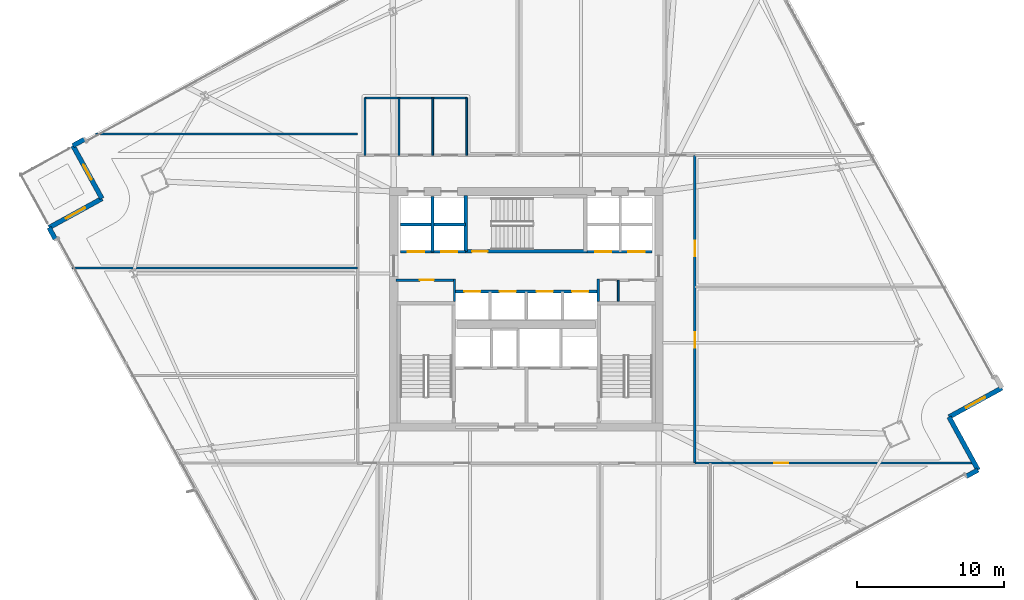
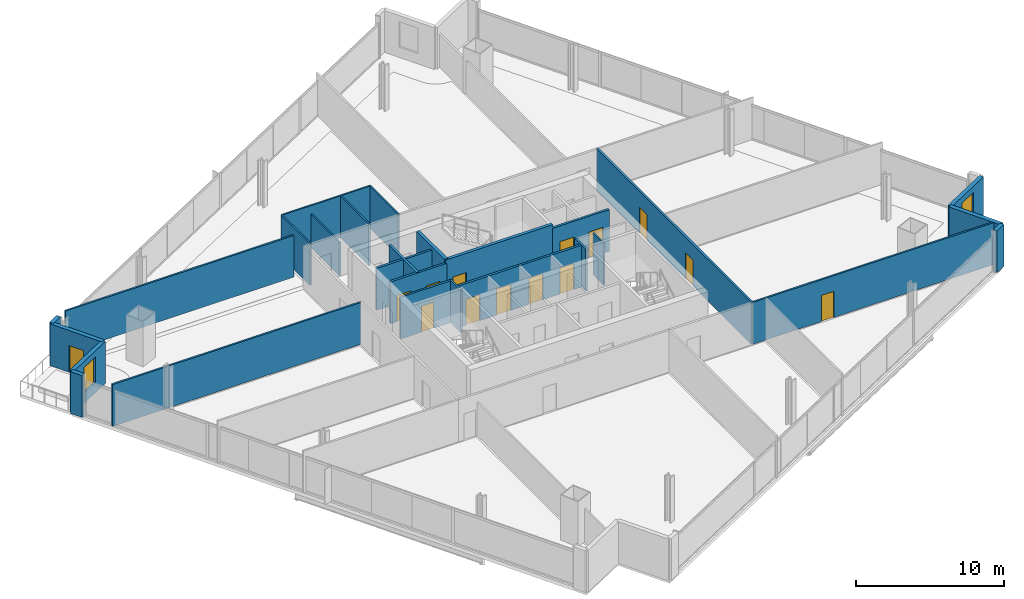
# One storey, part 25 of 33: 27 walls, 14 doors, 2 windows, 16 openings.
"""IFC4 building model written with IfcOpenShell, lengths in metres."""

from ifc_helpers import new_model, si_unit, direction, frame, frame_2d, origin, place, context, subcontext, project, spatial, rectangle, extrude, material, layer, layer_set, type_object, element, fill, save


model = new_model("IFC4")

# Units and contexts
model_context = context("Model", 3, precision=1e-05, world=origin(), true_north=direction((0.0, 1.0)))
body_context = subcontext(model_context, "Body", "Model", "MODEL_VIEW")
ifc_project = project(units=[si_unit("LENGTHUNIT", "METRE"), si_unit("AREAUNIT", "SQUARE_METRE"), si_unit("VOLUMEUNIT", "CUBIC_METRE"), si_unit("PLANEANGLEUNIT", "RADIAN"), si_unit("MASSUNIT", "GRAM", prefix="KILO")], contexts=[model_context])

# Site, building, storey
site_placement = place(None, origin())
site = spatial("IfcSite", under=ifc_project, at=site_placement, CompositionType="ELEMENT")
building_placement = place(site_placement, origin())
building = spatial("IfcBuilding", under=site, at=building_placement, Name="Haldenkirk Collegiate Tower", CompositionType="ELEMENT")
storey_placement = place(building_placement, frame((0.0, 0.0, 124.199951171875)))
storey = spatial("IfcBuildingStorey", under=building, at=storey_placement, Name="L30", CompositionType="ELEMENT", Elevation=124.199951171875)

# Walls
ifc_material_1 = material(Name="Precast concrete f'c 40 MPa", Category="concrete")
ifc_layer_1 = layer(ifc_material_1, 0.320068359375)
ifc_layer_set_1 = layer_set([ifc_layer_1], Name="Precast concrete f'c 40 MPa")
wall_type_1 = type_object("IfcWallType", Name="WL-EXT-TWR-320", PredefinedType="STANDARD", material=ifc_layer_set_1)
wall_1_placement = place(storey_placement, frame((66.68115234375, 15.0869140625, 0.0), z_axis=(0.0, 0.0, 1.0), x_axis=(-0.876742303373, -0.480960428181, 0.0)))
element("IfcWall", 1, at=wall_1_placement, inside=storey, type_object=wall_type_1, Name="L30 precast corner pier SL", PredefinedType="STANDARD", context=body_context, shape_type="SweptSolid", body=[
    extrude(rectangle(XDim=0.89990234375, YDim=0.320068359375, at=frame_2d((0.449951171875, 0.0))), origin(), (0.0, 0.0, 1.0), 3.449951171875),
])
wall_2_placement = place(storey_placement, frame((64.708984375, 18.681640625, 0.0), z_axis=(0.0, 0.0, 1.0), x_axis=(0.480995038517, -0.876723316059, 0.0)))
element("IfcWall", 2, at=wall_2_placement, inside=storey, type_object=wall_type_1, Name="L30 bronze precast notch wall 02", PredefinedType="STANDARD", context=body_context, shape_type="SweptSolid", body=[
    extrude(rectangle(XDim=4.10009765625, YDim=0.320068359375, at=frame_2d((2.050048828125, 0.0))), origin(), (0.0, 0.0, 1.0), 3.449951171875),
])

# Wall, opening, window
wall_3_placement = place(storey_placement, frame((68.3037109375, 20.65380859375, 0.0), z_axis=(0.0, 0.0, 1.0), x_axis=(-0.876723316059, -0.480995038517, 0.0)))
wall_3 = element("IfcWall", 3, at=wall_3_placement, inside=storey, type_object=wall_type_1, Name="L30 bronze precast notch wall 03", PredefinedType="STANDARD", context=body_context, shape_type="SweptSolid", body=[
    extrude(rectangle(XDim=4.10009765625, YDim=0.320068359375, at=frame_2d((2.050048828125, 0.0))), origin(), (0.0, 0.0, 1.0), 3.449951171875),
])
opening_1_placement = place(wall_3_placement, frame((1.300048828125, 0.0, 0.85009765625)))
opening_1 = element("IfcOpeningElement", 4, at=opening_1_placement, cuts=wall_3, Name="Opening W-04", PredefinedType="OPENING", context=body_context, shape_type="SweptSolid", body=[
    extrude(rectangle(XDim=1.5, YDim=2.10009765625, at=frame_2d((0.75, 1.050048828125))), frame((0.0, 0.169921875, 0.0), z_axis=(0.0, -1.0, 0.0), x_axis=(1.0, 0.0, 0.0)), (0.0, 0.0, 1.0), 0.340087890625),
])
ifc_material_2 = material(Name="Low-E argon triple insulating glass", Category="glass")
ifc_layer_2 = layer(ifc_material_2, 0.090087890625)
ifc_layer_set_2 = layer_set([ifc_layer_2], Name="Low-E argon triple insulating glass")
window_type = type_object("IfcWindowType", Name="WN-Z2-1500X2100", PartitioningType="SINGLE_PANEL", PredefinedType="WINDOW", material=ifc_layer_set_2)
window_1_placement = place(opening_1_placement, origin())
window_1 = element("IfcWindow", 5, at=window_1_placement, inside=storey, type_object=window_type, Name="L30 precast-frame academic window 2", OverallHeight=2.10009765625, OverallWidth=1.5, PartitioningType="SINGLE_PANEL", PredefinedType="WINDOW", context=body_context, shape_type="SweptSolid", body=[
    extrude(rectangle(XDim=1.5, YDim=2.10009765625, at=frame_2d((0.75, 1.050048828125))), frame((0.0, 0.030029296875, 0.0), z_axis=(0.0, -1.0, 0.0), x_axis=(1.0, 0.0, 0.0)), (0.0, 0.0, 1.0), 0.06005859375),
])
fill(opening_1, window_1)

# Wall
wall_4_placement = place(storey_placement, frame((5.210693359375, 37.110107421875, 0.0), z_axis=(0.0, 0.0, 1.0), x_axis=(0.876627905127, 0.481168905846, 0.0)))
element("IfcWall", 6, at=wall_4_placement, inside=storey, type_object=wall_type_1, Name="L30 precast corner pier NL", PredefinedType="STANDARD", context=body_context, shape_type="SweptSolid", body=[
    extrude(rectangle(XDim=0.900146484375, YDim=0.320068359375, at=frame_2d((0.4501953125, 0.0))), origin(), (0.0, 0.0, 1.0), 3.449951171875),
])

# Wall, opening, door
wall_5_placement = place(storey_placement, frame((7.1826171875, 33.515625, 0.0), z_axis=(0.0, 0.0, 1.0), x_axis=(-0.480974378327, 0.876734650503, 0.0)))
wall_5 = element("IfcWall", 7, at=wall_5_placement, inside=storey, type_object=wall_type_1, Name="L30 bronze precast notch wall 08", PredefinedType="STANDARD", context=body_context, shape_type="SweptSolid", body=[
    extrude(rectangle(XDim=4.099853515625, YDim=0.320068359375, at=frame_2d((2.0498046875, 0.0))), origin(), (0.0, 0.0, 1.0), 3.449951171875),
])
opening_2_placement = place(wall_5_placement, frame((1.47509765625, 0.0, 0.0)))
opening_2 = element("IfcOpeningElement", 8, at=opening_2_placement, cuts=wall_5, Name="Opening D-ST11", PredefinedType="OPENING", context=body_context, shape_type="SweptSolid", body=[
    extrude(rectangle(XDim=1.14990234375, YDim=2.199951171875, at=frame_2d((0.574951171875, 1.10009765625))), frame((0.0, 0.169921875, 0.0), z_axis=(0.0, -1.0, 0.0), x_axis=(1.0, 0.0, 0.0)), (0.0, 0.0, 1.0), 0.340087890625),
])
ifc_material_3 = material(Name="Anodised architectural bronze aluminium", Category="aluminium")
ifc_layer_3 = layer(ifc_material_3, 0.080078125)
ifc_layer_set_3 = layer_set([ifc_layer_3], Name="Anodised architectural bronze aluminium")
door_type_1 = type_object("IfcDoorType", Name="DR-EXT-STER-1150", OperationType="NOTDEFINED", PredefinedType="DOOR", material=ifc_layer_set_3)
door_1_placement = place(opening_2_placement, origin())
door_1 = element("IfcDoor", 9, at=door_1_placement, inside=storey, type_object=door_type_1, Name="L30 spiralling terrace door", OperationType="SINGLE_SWING_LEFT", OverallHeight=2.199951171875, OverallWidth=1.14990234375, PredefinedType="DOOR", context=body_context, shape_type="SweptSolid", body=[
    extrude(rectangle(XDim=1.14990234375, YDim=2.199951171875, at=frame_2d((0.574951171875, 1.10009765625))), frame((0.0, 0.02490234375, 0.0), z_axis=(0.0, -1.0, 0.0), x_axis=(1.0, 0.0, 0.0)), (0.0, 0.0, 1.0), 0.050048828125),
])
fill(opening_2, door_1)

# Wall, opening, window
wall_6_placement = place(storey_placement, frame((3.588134765625, 31.543701171875, 0.0), z_axis=(0.0, 0.0, 1.0), x_axis=(0.876734650503, 0.480974378327, 0.0)))
wall_6 = element("IfcWall", 10, at=wall_6_placement, inside=storey, type_object=wall_type_1, Name="L30 bronze precast notch wall 09", PredefinedType="STANDARD", context=body_context, shape_type="SweptSolid", body=[
    extrude(rectangle(XDim=4.099853515625, YDim=0.320068359375, at=frame_2d((2.0498046875, 0.0))), origin(), (0.0, 0.0, 1.0), 3.449951171875),
])
opening_3_placement = place(wall_6_placement, frame((1.300048828125, 0.0, 0.85009765625)))
opening_3 = element("IfcOpeningElement", 11, at=opening_3_placement, cuts=wall_6, Name="Opening W-04", PredefinedType="OPENING", context=body_context, shape_type="SweptSolid", body=[
    extrude(rectangle(XDim=1.5, YDim=2.10009765625, at=frame_2d((0.75, 1.050048828125))), frame((0.0, 0.169921875, 0.0), z_axis=(0.0, -1.0, 0.0), x_axis=(1.0, 0.0, 0.0)), (0.0, 0.0, 1.0), 0.340087890625),
])
window_2_placement = place(opening_3_placement, origin())
window_2 = element("IfcWindow", 12, at=window_2_placement, inside=storey, type_object=window_type, Name="L30 precast-frame academic window 8", OverallHeight=2.10009765625, OverallWidth=1.5, PartitioningType="SINGLE_PANEL", PredefinedType="WINDOW", context=body_context, shape_type="SweptSolid", body=[
    extrude(rectangle(XDim=1.5, YDim=2.10009765625, at=frame_2d((0.75, 1.050048828125))), frame((0.0, 0.030029296875, 0.0), z_axis=(0.0, -1.0, 0.0), x_axis=(1.0, 0.0, 0.0)), (0.0, 0.0, 1.0), 0.06005859375),
])
fill(opening_3, window_2)

# Wall
wall_7_placement = place(storey_placement, frame((4.02099609375, 30.75439453125, 0.0), z_axis=(0.0, 0.0, 1.0), x_axis=(-0.480846062907, 0.876805031798, 0.0)))
element("IfcWall", 13, at=wall_7_placement, inside=storey, type_object=wall_type_1, Name="L30 precast corner pier WR", PredefinedType="STANDARD", context=body_context, shape_type="SweptSolid", body=[
    extrude(rectangle(XDim=0.900146484375, YDim=0.320068359375, at=frame_2d((0.4501953125, 0.0))), origin(), (0.0, 0.0, 1.0), 3.449951171875),
])

# Wall, opening, door
ifc_material_4 = material(Name="Acoustic fire-rated gypsum partition", Category="concrete")
ifc_layer_4 = layer(ifc_material_4, 0.159912109375)
ifc_layer_set_4 = layer_set([ifc_layer_4], Name="Acoustic fire-rated gypsum partition")
wall_type_2 = type_object("IfcWallType", Name="WL-INT-CORR-160", PredefinedType="PARTITIONING", material=ifc_layer_set_4)
wall_8_placement = place(storey_placement, frame((27.14990234375, 27.97998046875, 0.0), z_axis=(0.0, 0.0, 1.0), x_axis=(1.0, 0.0, 0.0)))
wall_8 = element("IfcWall", 14, at=wall_8_placement, inside=storey, type_object=wall_type_2, Name="L30 interior partition IW-L30-VCSW-N", PredefinedType="PARTITIONING", context=body_context, shape_type="SweptSolid", body=[
    extrude(rectangle(XDim=4.050048828125, YDim=0.159912109375, at=frame_2d((2.02490234375, 0.0))), origin(), (0.0, 0.0, 1.0), 3.449951171875),
])
opening_4_placement = place(wall_8_placement, frame((1.625, 0.0, 0.0)))
opening_4 = element("IfcOpeningElement", 15, at=opening_4_placement, cuts=wall_8, Name="Opening D-10", PredefinedType="OPENING", context=body_context, shape_type="SweptSolid", body=[
    extrude(rectangle(XDim=0.949951171875, YDim=2.14990234375, at=frame_2d((0.47509765625, 1.074951171875))), frame((0.0, 0.08984375, 0.0), z_axis=(0.0, -1.0, 0.0), x_axis=(1.0, 0.0, 0.0)), (0.0, 0.0, 1.0), 0.179931640625),
])
ifc_material_5 = material(Name="Solid-core architectural oak fire door", Category="wood")
ifc_layer_5 = layer(ifc_material_5, 0.06005859375)
ifc_layer_set_5 = layer_set([ifc_layer_5], Name="Solid-core architectural oak fire door")
door_type_2 = type_object("IfcDoorType", Name="DR-INT-FD60-950", OperationType="NOTDEFINED", PredefinedType="DOOR", material=ifc_layer_set_5)
door_2_placement = place(opening_4_placement, origin())
door_2 = element("IfcDoor", 16, at=door_2_placement, inside=storey, type_object=door_type_2, Name="L30 core tea pantry door", OperationType="SINGLE_SWING_RIGHT", OverallHeight=2.14990234375, OverallWidth=0.949951171875, PredefinedType="DOOR", context=body_context, shape_type="SweptSolid", body=[
    extrude(rectangle(XDim=0.949951171875, YDim=2.14990234375, at=frame_2d((0.47509765625, 1.074951171875))), frame((0.0, 0.02490234375, 0.0), z_axis=(0.0, -1.0, 0.0), x_axis=(1.0, 0.0, 0.0)), (0.0, 0.0, 1.0), 0.050048828125),
])
fill(opening_4, door_2)

# Walls
for number, where, z_axis, x_axis, name in (
    (17, (31.1201171875, 26.5400390625, 0.0), (0.0, 0.0, 1.0), (0.0, 1.0, 0.0), "L30 interior partition IW-L30-VCSW-E"),
    (18, (40.8798828125, 26.5400390625, 0.0), (0.0, 0.0, 1.0), (0.0, 1.0, 0.0), "L30 interior partition IW-L30-VCSE-W"),
):
    element("IfcWall", number, at=place(storey_placement, frame(where, z_axis=z_axis, x_axis=x_axis)), inside=storey, type_object=wall_type_2, Name=name, PredefinedType="PARTITIONING", context=body_context, shape_type="SweptSolid", body=[
        extrude(rectangle(XDim=1.510009765625, YDim=0.159912109375, at=frame_2d((0.7548828125, 0.0))), origin(), (0.0, 0.0, 1.0), 3.449951171875),
    ])

# Wall, openings, doors
wall_9_placement = place(storey_placement, frame((47.449951171875, 15.550048828125, 0.0), z_axis=(0.0, 0.0, 1.0), x_axis=(0.0, 1.0, 0.0)))
wall_9 = element("IfcWall", 19, at=wall_9_placement, inside=storey, type_object=wall_type_2, Name="L30 interior partition IW-L30-CE", PredefinedType="PARTITIONING", context=body_context, shape_type="SweptSolid", body=[
    extrude(rectangle(XDim=20.89990234375, YDim=0.159912109375, at=frame_2d((10.449951171875, 0.0))), origin(), (0.0, 0.0, 1.0), 3.449951171875),
])
opening_5_placement = place(wall_9_placement, frame((7.826904296875, 0.0, 0.0)))
opening_5 = element("IfcOpeningElement", 20, at=opening_5_placement, cuts=wall_9, Name="Opening D-09", PredefinedType="OPENING", context=body_context, shape_type="SweptSolid", body=[
    extrude(rectangle(XDim=1.050048828125, YDim=2.14990234375, at=frame_2d((0.52490234375, 1.074951171875))), frame((0.0, 0.08984375, 0.0), z_axis=(0.0, -1.0, 0.0), x_axis=(1.0, 0.0, 0.0)), (0.0, 0.0, 1.0), 0.179931640625),
])
opening_6_placement = place(wall_9_placement, frame((14.06298828125, 0.0, 0.0)))
opening_6 = element("IfcOpeningElement", 21, at=opening_6_placement, cuts=wall_9, Name="Opening D-09", PredefinedType="OPENING", context=body_context, shape_type="SweptSolid", body=[
    extrude(rectangle(XDim=1.050048828125, YDim=2.14990234375, at=frame_2d((0.52490234375, 1.074951171875))), frame((0.0, 0.08984375, 0.0), z_axis=(0.0, -1.0, 0.0), x_axis=(1.0, 0.0, 0.0)), (0.0, 0.0, 1.0), 0.179931640625),
])
ifc_layer_6 = layer(ifc_material_5, 0.06005859375)
ifc_layer_set_6 = layer_set([ifc_layer_6], Name="Solid-core architectural oak fire door")
door_type_3 = type_object("IfcDoorType", Name="DR-INT-FD60-1050", OperationType="NOTDEFINED", PredefinedType="DOOR", material=ifc_layer_set_6)
door_3_placement = place(opening_5_placement, origin())
door_3 = element("IfcDoor", 22, at=door_3_placement, inside=storey, type_object=door_type_3, Name="L30 Urbanism Pin-Up Studio 11 door", OperationType="SINGLE_SWING_RIGHT", OverallHeight=2.14990234375, OverallWidth=1.050048828125, PredefinedType="DOOR", context=body_context, shape_type="SweptSolid", body=[
    extrude(rectangle(XDim=1.050048828125, YDim=2.14990234375, at=frame_2d((0.52490234375, 1.074951171875))), frame((0.0, 0.02490234375, 0.0), z_axis=(0.0, -1.0, 0.0), x_axis=(1.0, 0.0, 0.0)), (0.0, 0.0, 1.0), 0.050048828125),
])
fill(opening_5, door_3)
door_4_placement = place(opening_6_placement, origin())
door_4 = element("IfcDoor", 23, at=door_4_placement, inside=storey, type_object=door_type_3, Name="L30 Exhibition Gallery Studio 12 door", OperationType="SINGLE_SWING_LEFT", OverallHeight=2.14990234375, OverallWidth=1.050048828125, PredefinedType="DOOR", context=body_context, shape_type="SweptSolid", body=[
    extrude(rectangle(XDim=1.050048828125, YDim=2.14990234375, at=frame_2d((0.52490234375, 1.074951171875))), frame((0.0, 0.02490234375, 0.0), z_axis=(0.0, -1.0, 0.0), x_axis=(1.0, 0.0, 0.0)), (0.0, 0.0, 1.0), 0.050048828125),
])
fill(opening_6, door_4)

# Wall
ifc_layer_7 = layer(ifc_material_4, 0.139892578125)
ifc_layer_set_7 = layer_set([ifc_layer_7], Name="Acoustic fire-rated gypsum partition")
wall_type_3 = type_object("IfcWallType", Name="WL-INT-DIV-140", PredefinedType="PARTITIONING", material=ifc_layer_set_7)
wall_10_placement = place(storey_placement, frame((6.7333984375, 37.89990234375, 0.0), z_axis=(0.0, 0.0, 1.0), x_axis=(1.0, 0.0, 0.0)))
element("IfcWall", 24, at=wall_10_placement, inside=storey, type_object=wall_type_3, Name="L30 interior partition IW-L30-BWN", PredefinedType="PARTITIONING", context=body_context, shape_type="SweptSolid", body=[
    extrude(rectangle(XDim=17.816650390625, YDim=0.139892578125, at=frame_2d((8.908203125, 0.0))), origin(), (0.0, 0.0, 1.0), 3.449951171875),
])

# Wall, opening, door
wall_11_placement = place(storey_placement, frame((47.449951171875, 15.550048828125, 0.0), z_axis=(0.0, 0.0, 1.0), x_axis=(1.0, 0.0, 0.0)))
wall_11 = element("IfcWall", 25, at=wall_11_placement, inside=storey, type_object=wall_type_3, Name="L30 interior partition IW-L30-BES", PredefinedType="PARTITIONING", context=body_context, shape_type="SweptSolid", body=[
    extrude(rectangle(XDim=18.931640625, YDim=0.139892578125, at=frame_2d((9.4658203125, 0.0))), origin(), (0.0, 0.0, 1.0), 3.449951171875),
])
opening_7_placement = place(wall_11_placement, frame((5.384033203125, 0.0, 0.0)))
opening_7 = element("IfcOpeningElement", 26, at=opening_7_placement, cuts=wall_11, Name="Opening D-12", PredefinedType="OPENING", context=body_context, shape_type="SweptSolid", body=[
    extrude(rectangle(XDim=0.949951171875, YDim=2.14990234375, at=frame_2d((0.47509765625, 1.074951171875))), frame((0.0, 0.079833984375, 0.0), z_axis=(0.0, -1.0, 0.0), x_axis=(1.0, 0.0, 0.0)), (0.0, 0.0, 1.0), 0.159912109375),
])
ifc_layer_8 = layer(ifc_material_5, 0.06005859375)
ifc_layer_set_8 = layer_set([ifc_layer_8], Name="Solid-core architectural oak fire door")
door_type_4 = type_object("IfcDoorType", Name="DR-INT-STD-950", OperationType="NOTDEFINED", PredefinedType="DOOR", material=ifc_layer_set_8)
door_5_placement = place(opening_7_placement, origin())
door_5 = element("IfcDoor", 27, at=door_5_placement, inside=storey, type_object=door_type_4, Name="L30 Architectural Crit Studio 4 door", OperationType="SINGLE_SWING_LEFT", OverallHeight=2.14990234375, OverallWidth=0.949951171875, PredefinedType="DOOR", context=body_context, shape_type="SweptSolid", body=[
    extrude(rectangle(XDim=0.949951171875, YDim=2.14990234375, at=frame_2d((0.47509765625, 1.074951171875))), frame((0.0, 0.02490234375, 0.0), z_axis=(0.0, -1.0, 0.0), x_axis=(1.0, 0.0, 0.0)), (0.0, 0.0, 1.0), 0.050048828125),
])
fill(opening_7, door_5)

# Wall
wall_12_placement = place(storey_placement, frame((5.138916015625, 28.800048828125, 0.0), z_axis=(0.0, 0.0, 1.0), x_axis=(1.0, 0.0, 0.0)))
element("IfcWall", 28, at=wall_12_placement, inside=storey, type_object=wall_type_3, Name="L30 interior partition IW-L30-RW2", PredefinedType="PARTITIONING", context=body_context, shape_type="SweptSolid", body=[
    extrude(rectangle(XDim=19.4111328125, YDim=0.139892578125, at=frame_2d((9.70556640625, 0.0))), origin(), (0.0, 0.0, 1.0), 3.449951171875),
])

# Wall, openings, doors
ifc_material_6 = material(Name="Fire-rated gypsum shaftboard assembly", Category="concrete")
ifc_layer_9 = layer(ifc_material_6, 0.179931640625)
ifc_layer_set_9 = layer_set([ifc_layer_9], Name="Fire-rated gypsum shaftboard assembly")
wall_type_4 = type_object("IfcWallType", Name="WL-INT-SHAFT-180", PredefinedType="PARTITIONING", material=ifc_layer_set_9)
wall_13_placement = place(storey_placement, frame((27.449951171875, 29.89990234375, 0.0), z_axis=(0.0, 0.0, 1.0), x_axis=(1.0, 0.0, 0.0)))
wall_13 = element("IfcWall", 29, at=wall_13_placement, inside=storey, type_object=wall_type_4, Name="L30 interior partition IW-L30-PLS", PredefinedType="PARTITIONING", context=body_context, shape_type="SweptSolid", body=[
    extrude(rectangle(XDim=4.429931640625, YDim=0.179931640625, at=frame_2d((2.21484375, 0.0))), origin(), (0.0, 0.0, 1.0), 3.449951171875),
])
opening_8_placement = place(wall_13_placement, frame((0.514892578125, 0.0, 0.0)))
opening_8 = element("IfcOpeningElement", 30, at=opening_8_placement, cuts=wall_13, Name="Opening LD-11", PredefinedType="OPENING", context=body_context, shape_type="SweptSolid", body=[
    extrude(rectangle(XDim=1.10009765625, YDim=2.14990234375, at=frame_2d((0.550048828125, 1.074951171875))), frame((0.0, 0.099853515625, 0.0), z_axis=(0.0, -1.0, 0.0), x_axis=(1.0, 0.0, 0.0)), (0.0, 0.0, 1.0), 0.199951171875),
])
opening_9_placement = place(wall_13_placement, frame((2.764892578125, 0.0, 0.0)))
opening_9 = element("IfcOpeningElement", 31, at=opening_9_placement, cuts=wall_13, Name="Opening LD-11", PredefinedType="OPENING", context=body_context, shape_type="SweptSolid", body=[
    extrude(rectangle(XDim=1.10009765625, YDim=2.14990234375, at=frame_2d((0.550048828125, 1.074951171875))), frame((0.0, 0.099853515625, 0.0), z_axis=(0.0, -1.0, 0.0), x_axis=(1.0, 0.0, 0.0)), (0.0, 0.0, 1.0), 0.199951171875),
])
ifc_material_7 = material(Name="Brushed architectural stainless steel", Category="steel")
ifc_layer_10 = layer(ifc_material_7, 0.06005859375)
ifc_layer_set_10 = layer_set([ifc_layer_10], Name="Brushed architectural stainless steel")
door_type_5 = type_object("IfcDoorType", Name="LD-PASS-1100", OperationType="NOTDEFINED", PredefinedType="DOOR", material=ifc_layer_set_10)
door_6_placement = place(opening_8_placement, origin())
door_6 = element("IfcDoor", 32, at=door_6_placement, inside=storey, type_object=door_type_5, Name="L30 Elevator PL1 sliding landing door", OperationType="SLIDING_TO_LEFT", OverallHeight=2.14990234375, OverallWidth=1.10009765625, PredefinedType="DOOR", context=body_context, shape_type="SweptSolid", body=[
    extrude(rectangle(XDim=1.10009765625, YDim=2.14990234375, at=frame_2d((0.550048828125, 1.074951171875))), frame((0.0, 0.02490234375, 0.0), z_axis=(0.0, -1.0, 0.0), x_axis=(1.0, 0.0, 0.0)), (0.0, 0.0, 1.0), 0.050048828125),
])
fill(opening_8, door_6)
door_7_placement = place(opening_9_placement, origin())
door_7 = element("IfcDoor", 33, at=door_7_placement, inside=storey, type_object=door_type_5, Name="L30 Elevator PL2 sliding landing door", OperationType="SLIDING_TO_LEFT", OverallHeight=2.14990234375, OverallWidth=1.10009765625, PredefinedType="DOOR", context=body_context, shape_type="SweptSolid", body=[
    extrude(rectangle(XDim=1.10009765625, YDim=2.14990234375, at=frame_2d((0.550048828125, 1.074951171875))), frame((0.0, 0.02490234375, 0.0), z_axis=(0.0, -1.0, 0.0), x_axis=(1.0, 0.0, 0.0)), (0.0, 0.0, 1.0), 0.050048828125),
])
fill(opening_9, door_7)

# Walls
wall_14_placement = place(storey_placement, frame((27.449951171875, 31.75, 0.0), z_axis=(0.0, 0.0, 1.0), x_axis=(1.0, 0.0, 0.0)))
element("IfcWall", 34, at=wall_14_placement, inside=storey, type_object=wall_type_4, Name="L30 interior partition IW-L30-PLM", PredefinedType="PARTITIONING", context=body_context, shape_type="SweptSolid", body=[
    extrude(rectangle(XDim=4.429931640625, YDim=0.179931640625, at=frame_2d((2.21484375, 0.0))), origin(), (0.0, 0.0, 1.0), 3.449951171875),
])
wall_15_placement = place(storey_placement, frame((29.6298828125, 29.89990234375, 0.0), z_axis=(0.0, 0.0, 1.0), x_axis=(0.0, 1.0, 0.0)))
element("IfcWall", 35, at=wall_15_placement, inside=storey, type_object=wall_type_4, Name="L30 interior partition IW-L30-PLV", PredefinedType="PARTITIONING", context=body_context, shape_type="SweptSolid", body=[
    extrude(rectangle(XDim=3.75, YDim=0.179931640625, at=frame_2d((1.875, 0.0))), origin(), (0.0, 0.0, 1.0), 3.449951171875),
])

# Wall, openings, doors
wall_16_placement = place(storey_placement, frame((40.1201171875, 29.89990234375, 0.0), z_axis=(0.0, 0.0, 1.0), x_axis=(1.0, 0.0, 0.0)))
wall_16 = element("IfcWall", 36, at=wall_16_placement, inside=storey, type_object=wall_type_4, Name="L30 interior partition IW-L30-PMS", PredefinedType="PARTITIONING", context=body_context, shape_type="SweptSolid", body=[
    extrude(rectangle(XDim=4.429931640625, YDim=0.179931640625, at=frame_2d((2.21484375, 0.0))), origin(), (0.0, 0.0, 1.0), 3.449951171875),
])
opening_10_placement = place(wall_16_placement, frame((0.56494140625, 0.0, 0.0)))
opening_10 = element("IfcOpeningElement", 37, at=opening_10_placement, cuts=wall_16, Name="Opening LD-11", PredefinedType="OPENING", context=body_context, shape_type="SweptSolid", body=[
    extrude(rectangle(XDim=1.10009765625, YDim=2.14990234375, at=frame_2d((0.550048828125, 1.074951171875))), frame((0.0, 0.099853515625, 0.0), z_axis=(0.0, -1.0, 0.0), x_axis=(1.0, 0.0, 0.0)), (0.0, 0.0, 1.0), 0.199951171875),
])
opening_11_placement = place(wall_16_placement, frame((2.81494140625, 0.0, 0.0)))
opening_11 = element("IfcOpeningElement", 38, at=opening_11_placement, cuts=wall_16, Name="Opening LD-11", PredefinedType="OPENING", context=body_context, shape_type="SweptSolid", body=[
    extrude(rectangle(XDim=1.10009765625, YDim=2.14990234375, at=frame_2d((0.550048828125, 1.074951171875))), frame((0.0, 0.099853515625, 0.0), z_axis=(0.0, -1.0, 0.0), x_axis=(1.0, 0.0, 0.0)), (0.0, 0.0, 1.0), 0.199951171875),
])
door_8_placement = place(opening_10_placement, origin())
door_8 = element("IfcDoor", 39, at=door_8_placement, inside=storey, type_object=door_type_5, Name="L30 Elevator PM1 sliding landing door", OperationType="SLIDING_TO_LEFT", OverallHeight=2.14990234375, OverallWidth=1.10009765625, PredefinedType="DOOR", context=body_context, shape_type="SweptSolid", body=[
    extrude(rectangle(XDim=1.10009765625, YDim=2.14990234375, at=frame_2d((0.550048828125, 1.074951171875))), frame((0.0, 0.02490234375, 0.0), z_axis=(0.0, -1.0, 0.0), x_axis=(1.0, 0.0, 0.0)), (0.0, 0.0, 1.0), 0.050048828125),
])
fill(opening_10, door_8)
door_9_placement = place(opening_11_placement, origin())
door_9 = element("IfcDoor", 40, at=door_9_placement, inside=storey, type_object=door_type_5, Name="L30 Elevator PM2 sliding landing door", OperationType="SLIDING_TO_LEFT", OverallHeight=2.14990234375, OverallWidth=1.10009765625, PredefinedType="DOOR", context=body_context, shape_type="SweptSolid", body=[
    extrude(rectangle(XDim=1.10009765625, YDim=2.14990234375, at=frame_2d((0.550048828125, 1.074951171875))), frame((0.0, 0.02490234375, 0.0), z_axis=(0.0, -1.0, 0.0), x_axis=(1.0, 0.0, 0.0)), (0.0, 0.0, 1.0), 0.050048828125),
])
fill(opening_11, door_9)

wall_17_placement = place(storey_placement, frame((31.199951171875, 27.199951171875, 0.0), z_axis=(0.0, 0.0, 1.0), x_axis=(1.0, 0.0, 0.0)))
wall_17 = element("IfcWall", 41, at=wall_17_placement, inside=storey, type_object=wall_type_4, Name="L30 interior partition IW-L30-PHN", PredefinedType="PARTITIONING", context=body_context, shape_type="SweptSolid", body=[
    extrude(rectangle(XDim=9.60009765625, YDim=0.179931640625, at=frame_2d((4.800048828125, 0.0))), origin(), (0.0, 0.0, 1.0), 3.449951171875),
])
opening_12_placement = place(wall_17_placement, frame((0.590087890625, 0.0, 0.0)))
opening_12 = element("IfcOpeningElement", 42, at=opening_12_placement, cuts=wall_17, Name="Opening LD-11", PredefinedType="OPENING", context=body_context, shape_type="SweptSolid", body=[
    extrude(rectangle(XDim=1.10009765625, YDim=2.14990234375, at=frame_2d((0.550048828125, 1.074951171875))), frame((0.0, 0.099853515625, 0.0), z_axis=(0.0, -1.0, 0.0), x_axis=(1.0, 0.0, 0.0)), (0.0, 0.0, 1.0), 0.199951171875),
])
opening_13_placement = place(wall_17_placement, frame((2.989990234375, 0.0, 0.0)))
opening_13 = element("IfcOpeningElement", 43, at=opening_13_placement, cuts=wall_17, Name="Opening LD-11", PredefinedType="OPENING", context=body_context, shape_type="SweptSolid", body=[
    extrude(rectangle(XDim=1.10009765625, YDim=2.14990234375, at=frame_2d((0.550048828125, 1.074951171875))), frame((0.0, 0.099853515625, 0.0), z_axis=(0.0, -1.0, 0.0), x_axis=(1.0, 0.0, 0.0)), (0.0, 0.0, 1.0), 0.199951171875),
])
opening_14_placement = place(wall_17_placement, frame((5.510009765625, 0.0, 0.0)))
opening_14 = element("IfcOpeningElement", 44, at=opening_14_placement, cuts=wall_17, Name="Opening LD-11", PredefinedType="OPENING", context=body_context, shape_type="SweptSolid", body=[
    extrude(rectangle(XDim=1.10009765625, YDim=2.14990234375, at=frame_2d((0.550048828125, 1.074951171875))), frame((0.0, 0.099853515625, 0.0), z_axis=(0.0, -1.0, 0.0), x_axis=(1.0, 0.0, 0.0)), (0.0, 0.0, 1.0), 0.199951171875),
])
opening_15_placement = place(wall_17_placement, frame((7.909912109375, 0.0, 0.0)))
opening_15 = element("IfcOpeningElement", 45, at=opening_15_placement, cuts=wall_17, Name="Opening LD-11", PredefinedType="OPENING", context=body_context, shape_type="SweptSolid", body=[
    extrude(rectangle(XDim=1.10009765625, YDim=2.14990234375, at=frame_2d((0.550048828125, 1.074951171875))), frame((0.0, 0.099853515625, 0.0), z_axis=(0.0, -1.0, 0.0), x_axis=(1.0, 0.0, 0.0)), (0.0, 0.0, 1.0), 0.199951171875),
])
door_10_placement = place(opening_12_placement, origin())
door_10 = element("IfcDoor", 46, at=door_10_placement, inside=storey, type_object=door_type_5, Name="L30 Elevator PH1 sliding landing door", OperationType="SLIDING_TO_LEFT", OverallHeight=2.14990234375, OverallWidth=1.10009765625, PredefinedType="DOOR", context=body_context, shape_type="SweptSolid", body=[
    extrude(rectangle(XDim=1.10009765625, YDim=2.14990234375, at=frame_2d((0.550048828125, 1.074951171875))), frame((0.0, 0.02490234375, 0.0), z_axis=(0.0, -1.0, 0.0), x_axis=(1.0, 0.0, 0.0)), (0.0, 0.0, 1.0), 0.050048828125),
])
fill(opening_12, door_10)
door_11_placement = place(opening_13_placement, origin())
door_11 = element("IfcDoor", 47, at=door_11_placement, inside=storey, type_object=door_type_5, Name="L30 Elevator PH2 sliding landing door", OperationType="SLIDING_TO_LEFT", OverallHeight=2.14990234375, OverallWidth=1.10009765625, PredefinedType="DOOR", context=body_context, shape_type="SweptSolid", body=[
    extrude(rectangle(XDim=1.10009765625, YDim=2.14990234375, at=frame_2d((0.550048828125, 1.074951171875))), frame((0.0, 0.02490234375, 0.0), z_axis=(0.0, -1.0, 0.0), x_axis=(1.0, 0.0, 0.0)), (0.0, 0.0, 1.0), 0.050048828125),
])
fill(opening_13, door_11)
door_12_placement = place(opening_14_placement, origin())
door_12 = element("IfcDoor", 48, at=door_12_placement, inside=storey, type_object=door_type_5, Name="L30 Elevator PH3 sliding landing door", OperationType="SLIDING_TO_LEFT", OverallHeight=2.14990234375, OverallWidth=1.10009765625, PredefinedType="DOOR", context=body_context, shape_type="SweptSolid", body=[
    extrude(rectangle(XDim=1.10009765625, YDim=2.14990234375, at=frame_2d((0.550048828125, 1.074951171875))), frame((0.0, 0.02490234375, 0.0), z_axis=(0.0, -1.0, 0.0), x_axis=(1.0, 0.0, 0.0)), (0.0, 0.0, 1.0), 0.050048828125),
])
fill(opening_14, door_12)
door_13_placement = place(opening_15_placement, origin())
door_13 = element("IfcDoor", 49, at=door_13_placement, inside=storey, type_object=door_type_5, Name="L30 Elevator PH4 sliding landing door", OperationType="SLIDING_TO_LEFT", OverallHeight=2.14990234375, OverallWidth=1.10009765625, PredefinedType="DOOR", context=body_context, shape_type="SweptSolid", body=[
    extrude(rectangle(XDim=1.10009765625, YDim=2.14990234375, at=frame_2d((0.550048828125, 1.074951171875))), frame((0.0, 0.02490234375, 0.0), z_axis=(0.0, -1.0, 0.0), x_axis=(1.0, 0.0, 0.0)), (0.0, 0.0, 1.0), 0.050048828125),
])
fill(opening_15, door_13)

# Walls
ifc_layer_11 = layer(ifc_material_4, 0.1201171875)
ifc_layer_set_11 = layer_set([ifc_layer_11], Name="Acoustic fire-rated gypsum partition")
wall_type_5 = type_object("IfcWallType", Name="WL-INT-WET-120", PredefinedType="PARTITIONING", material=ifc_layer_set_11)
wall_18_placement = place(storey_placement, frame((42.25, 26.5400390625, 0.0), z_axis=(0.0, 0.0, 1.0), x_axis=(0.0, 1.0, 0.0)))
element("IfcWall", 50, at=wall_18_placement, inside=storey, type_object=wall_type_5, Name="L30 interior partition IW-L30-VCSE-M", PredefinedType="PARTITIONING", context=body_context, shape_type="SweptSolid", body=[
    extrude(rectangle(XDim=1.43994140625, YDim=0.1201171875, at=frame_2d((0.719970703125, 0.0))), origin(), (0.0, 0.0, 1.0), 3.449951171875),
])
wall_19_placement = place(storey_placement, frame((25.050048828125, 36.449951171875, 0.0), z_axis=(0.0, 0.0, 1.0), x_axis=(0.0, 1.0, 0.0)))
element("IfcWall", 51, at=wall_19_placement, inside=storey, type_object=wall_type_5, Name="L30 interior partition IW-L30-WCW", PredefinedType="PARTITIONING", context=body_context, shape_type="SweptSolid", body=[
    extrude(rectangle(XDim=3.900146484375, YDim=0.1201171875, at=frame_2d((1.9501953125, 0.0))), origin(), (0.0, 0.0, 1.0), 3.449951171875),
])
wall_20_placement = place(storey_placement, frame((27.35009765625, 36.449951171875, 0.0), z_axis=(0.0, 0.0, 1.0), x_axis=(0.0, 1.0, 0.0)))
element("IfcWall", 52, at=wall_20_placement, inside=storey, type_object=wall_type_5, Name="L30 interior partition IW-L30-WC1", PredefinedType="PARTITIONING", context=body_context, shape_type="SweptSolid", body=[
    extrude(rectangle(XDim=3.900146484375, YDim=0.1201171875, at=frame_2d((1.9501953125, 0.0))), origin(), (0.0, 0.0, 1.0), 2.7490234375),
])
for number, where, z_axis, x_axis, name in (
    (53, (29.64990234375, 36.449951171875, 0.0), (0.0, 0.0, 1.0), (0.0, 1.0, 0.0), "L30 interior partition IW-L30-WC2"),
    (54, (31.949951171875, 36.449951171875, 0.0), (0.0, 0.0, 1.0), (0.0, 1.0, 0.0), "L30 interior partition IW-L30-WCE"),
):
    element("IfcWall", number, at=place(storey_placement, frame(where, z_axis=z_axis, x_axis=x_axis)), inside=storey, type_object=wall_type_5, Name=name, PredefinedType="PARTITIONING", context=body_context, shape_type="SweptSolid", body=[
        extrude(rectangle(XDim=3.900146484375, YDim=0.1201171875, at=frame_2d((1.9501953125, 0.0))), origin(), (0.0, 0.0, 1.0), 3.449951171875),
    ])
wall_21_placement = place(storey_placement, frame((25.050048828125, 40.35009765625, 0.0), z_axis=(0.0, 0.0, 1.0), x_axis=(1.0, 0.0, 0.0)))
element("IfcWall", 55, at=wall_21_placement, inside=storey, type_object=wall_type_5, Name="L30 interior partition IW-L30-WCB", PredefinedType="PARTITIONING", context=body_context, shape_type="SweptSolid", body=[
    extrude(rectangle(XDim=6.89990234375, YDim=0.1201171875, at=frame_2d((3.449951171875, 0.0))), origin(), (0.0, 0.0, 1.0), 3.449951171875),
])

# Wall, opening, door
ifc_material_8 = material(Name="Concrete f'c 55 MPa", Category="concrete")
ifc_layer_12 = layer(ifc_material_8, 0.239990234375)
ifc_layer_set_12 = layer_set([ifc_layer_12], Name="Concrete f'c 55 MPa")
wall_type_6 = type_object("IfcWallType", Name="WL-SHAFT-240", PredefinedType="SHEAR", material=ifc_layer_set_12)
wall_22_placement = place(storey_placement, frame((31.760009765625, 29.929931640625, 0.0), z_axis=(0.0, 0.0, 1.0), x_axis=(1.0, 0.0, 0.0)))
wall_22 = element("IfcWall", 56, at=wall_22_placement, inside=storey, type_object=wall_type_6, Name="L30 stair shaft shear wall SW-L30-ST3S", PredefinedType="SHEAR", context=body_context, shape_type="SweptSolid", body=[
    extrude(rectangle(XDim=8.3798828125, YDim=0.239990234375, at=frame_2d((4.18994140625, 0.0))), origin(), (0.0, 0.0, 1.0), 3.75),
])
opening_16_placement = place(wall_22_placement, frame((0.56494140625, 0.0, 0.0)))
opening_16 = element("IfcOpeningElement", 57, at=opening_16_placement, cuts=wall_22, Name="Opening D-01", PredefinedType="OPENING", context=body_context, shape_type="SweptSolid", body=[
    extrude(rectangle(XDim=1.050048828125, YDim=2.14990234375, at=frame_2d((0.52490234375, 1.074951171875))), frame((0.0, 0.1298828125, 0.0), z_axis=(0.0, -1.0, 0.0), x_axis=(1.0, 0.0, 0.0)), (0.0, 0.0, 1.0), 0.260009765625),
])
ifc_material_9 = material(Name="Galvanized fire-rated hollow steel door", Category="steel")
ifc_layer_13 = layer(ifc_material_9, 0.06005859375)
ifc_layer_set_13 = layer_set([ifc_layer_13], Name="Galvanized fire-rated hollow steel door")
door_type_6 = type_object("IfcDoorType", Name="DR-STAIR-FD90-1050", OperationType="NOTDEFINED", PredefinedType="DOOR", material=ifc_layer_set_13)
door_14_placement = place(opening_16_placement, origin())
door_14 = element("IfcDoor", 58, at=door_14_placement, inside=storey, type_object=door_type_6, Name="L30 lift lobby Stair 3 door", OperationType="SINGLE_SWING_LEFT", OverallHeight=2.14990234375, OverallWidth=1.050048828125, PredefinedType="DOOR", context=body_context, shape_type="SweptSolid", body=[
    extrude(rectangle(XDim=1.050048828125, YDim=2.14990234375, at=frame_2d((0.52490234375, 1.074951171875))), frame((0.0, 0.02490234375, 0.0), z_axis=(0.0, -1.0, 0.0), x_axis=(1.0, 0.0, 0.0)), (0.0, 0.0, 1.0), 0.050048828125),
])
fill(opening_16, door_14)

# Wall
wall_23_placement = place(storey_placement, frame((31.8798828125, 29.929931640625, 0.0), z_axis=(0.0, 0.0, 1.0), x_axis=(0.0, 1.0, 0.0)))
element("IfcWall", 59, at=wall_23_placement, inside=storey, type_object=wall_type_6, Name="L30 stair shaft shear wall SW-L30-ST3W", PredefinedType="SHEAR", context=body_context, shape_type="SweptSolid", body=[
    extrude(rectangle(XDim=3.7900390625, YDim=0.239990234375, at=frame_2d((1.89501953125, 0.0))), origin(), (0.0, 0.0, 1.0), 3.75),
])

save(model, "model.ifc")
